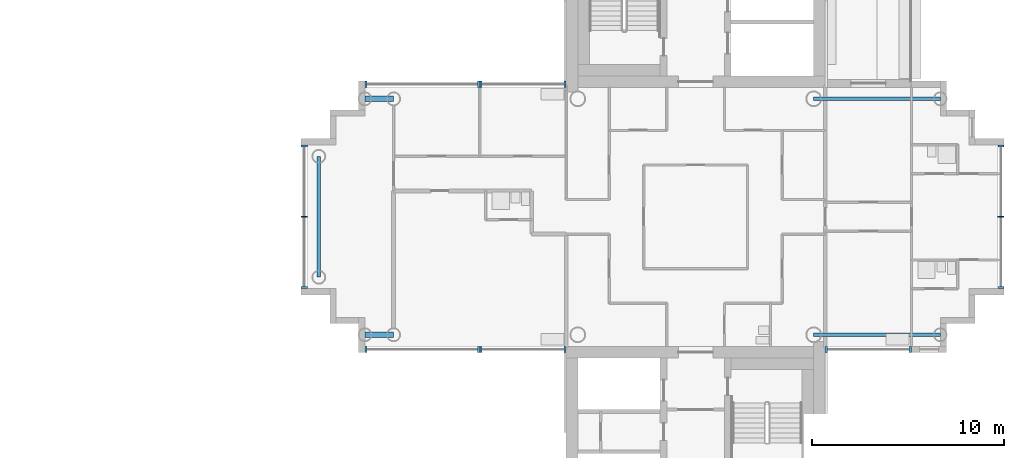
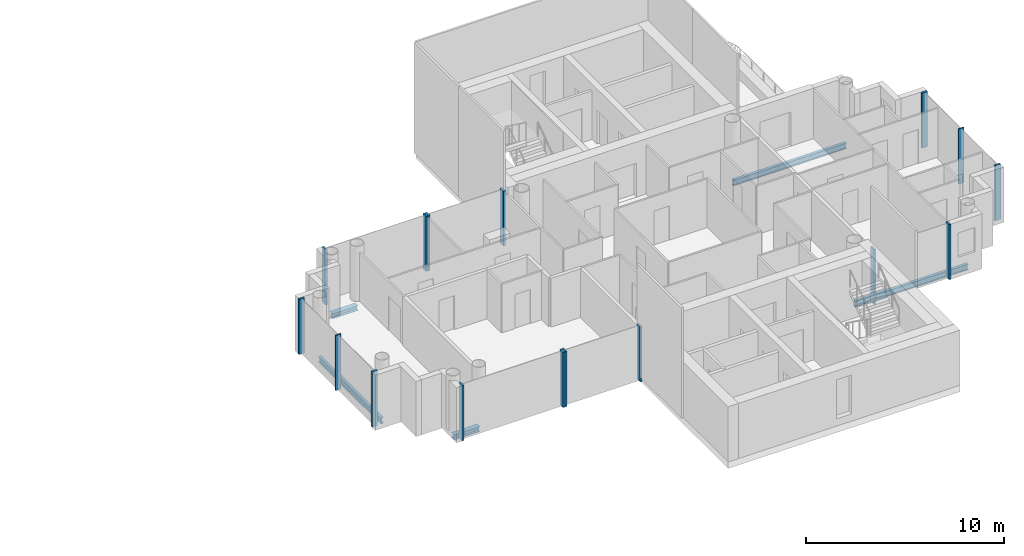
# One storey, part 4 of 18: 16 members, 5 beams, 7 elements without a shape of their own.
"""IFC4 building model written with IfcOpenShell, lengths in metres."""

from ifc_helpers import new_model, si_unit, direction, frame, origin, origin_2d, place, context, subcontext, project, spatial, rectangle, i_section, extrude, material, layer, layer_set, material_profile, profile_set, type_object, element, aggregate, save


model = new_model("IFC4")

# Units and contexts
model_context = context("Model", 3, precision=1e-05, world=origin(), true_north=direction((0.0, 1.0)))
body_context = subcontext(model_context, "Body", "Model", "MODEL_VIEW")
ifc_project = project(units=[si_unit("LENGTHUNIT", "METRE"), si_unit("AREAUNIT", "SQUARE_METRE"), si_unit("VOLUMEUNIT", "CUBIC_METRE"), si_unit("PLANEANGLEUNIT", "RADIAN"), si_unit("MASSUNIT", "GRAM", prefix="KILO")], contexts=[model_context])

# Site, building, storey
site_placement = place(None, origin())
site = spatial("IfcSite", under=ifc_project, at=site_placement, CompositionType="ELEMENT")
building_placement = place(site_placement, origin())
building = spatial("IfcBuilding", under=site, at=building_placement, Name="Ipe Terrace Towers", CompositionType="ELEMENT")
storey_placement = place(building_placement, frame((0.0, 0.0, 192.60009765625)))
storey = spatial("IfcBuildingStorey", under=building, at=storey_placement, Name="L53", CompositionType="ELEMENT", Elevation=192.60009765625)

# Beams
ifc_material_1 = material(Name="Steel S355", Category="steel")
ifc_material_profile_1 = material_profile(ifc_material_1, i_section(OverallWidth=0.300048828125, OverallDepth=0.300048828125, WebThickness=0.010009765625, FlangeThickness=0.014892578125, at=origin_2d()), Name="H-300x300x10x15")
ifc_profile_set_1 = profile_set([ifc_material_profile_1], Name="Steel S355")
beam_type_1 = type_object("IfcBeamType", Name="H03 EDGE BEAM H-300x300x10x15", PredefinedType="BEAM", material=ifc_profile_set_1)
for number, where, z_axis, x_axis, name in (
    (1, (20.25, 6.14990234375, -0.550048828125), (-1.0, 0.0, 0.0), (0.0, -1.0, 0.0), "Edge beam T2-EB-B03-B05"),
    (2, (20.25, -6.14990234375, -0.550048828125), (-1.0, 0.0, 0.0), (0.0, -1.0, 0.0), "Edge beam T2-EB-B04-B06"),
):
    element("IfcBeam", number, at=place(storey_placement, frame(where, z_axis=z_axis, x_axis=x_axis)), inside=storey, type_object=beam_type_1, Name=name, PredefinedType="BEAM", context=body_context, shape_type="SweptSolid", body=[
        extrude(i_section(OverallWidth=0.300048828125, OverallDepth=0.300048828125, WebThickness=0.010009765625, FlangeThickness=0.014892578125, at=origin_2d()), origin(), (0.0, 0.0, 1.0), 1.5),
    ])
ifc_material_2 = material(Name="Steel S355", Category="steel")
ifc_material_profile_2 = material_profile(ifc_material_2, i_section(OverallWidth=0.175048828125, OverallDepth=0.35009765625, WebThickness=0.007080078125, FlangeThickness=0.010986328125, at=origin_2d()), Name="H-350x175x7x11")
ifc_profile_set_2 = profile_set([ifc_material_profile_2], Name="Steel S355")
beam_type_2 = type_object("IfcBeamType", Name="H04 EDGE BEAM H-350x175x7x11", PredefinedType="BEAM", material=ifc_profile_set_2)
beam_placement = place(storey_placement, frame((16.35009765625, 3.14990234375, -0.5751953125), z_axis=(0.0, -1.0, 0.0), x_axis=(1.0, 0.0, 0.0)))
element("IfcBeam", 3, at=beam_placement, inside=storey, type_object=beam_type_2, Name="Edge beam T2-EB-B07-B08", PredefinedType="BEAM", context=body_context, shape_type="SweptSolid", body=[
    extrude(i_section(OverallWidth=0.175048828125, OverallDepth=0.35009765625, WebThickness=0.007080078125, FlangeThickness=0.010986328125, at=origin_2d()), origin(), (0.0, 0.0, 1.0), 6.2998046875),
])
for number, where, z_axis, x_axis, name in (
    (4, (48.75, -6.14990234375, -0.5751953125), (-1.0, 0.0, 0.0), (0.0, -1.0, 0.0), "Edge beam T2-EB-D01-E01"),
    (5, (48.75, 6.14990234375, -0.5751953125), (-1.0, 0.0, 0.0), (0.0, -1.0, 0.0), "Edge beam T2-EB-D02-E02"),
):
    element("IfcBeam", number, at=place(storey_placement, frame(where, z_axis=z_axis, x_axis=x_axis)), inside=storey, type_object=beam_type_2, Name=name, PredefinedType="BEAM", context=body_context, shape_type="SweptSolid", body=[
        extrude(i_section(OverallWidth=0.175048828125, OverallDepth=0.35009765625, WebThickness=0.007080078125, FlangeThickness=0.010986328125, at=origin_2d()), origin(), (0.0, 0.0, 1.0), 6.60009765625),
    ])

# Curtain wall, members
ifc_material_3 = material(Name="Aluminium alloy 6063-T6", Category="aluminium")
ifc_layer = layer(ifc_material_3, 0.320068359375)
ifc_layer_set = layer_set([ifc_layer], Name="TOWER UNITISED CURTAIN WALL")
curtain_wall_type = type_object("IfcCurtainWallType", Name="TOWER UNITISED CURTAIN WALL", PredefinedType="NOTDEFINED", material=ifc_layer_set)
curtain_wall_1_placement = place(storey_placement, origin())
curtain_wall_1 = element("IfcCurtainWall", 6, at=curtain_wall_1_placement, inside=storey, type_object=curtain_wall_type, Name="T2-CW-L53-02a curtain wall", PredefinedType="NOTDEFINED")
ifc_material_4 = material(Name="Aluminium alloy 6063-T6", Category="aluminium")
ifc_material_profile_3 = material_profile(ifc_material_4, rectangle(XDim=0.320068359375, YDim=0.1201171875, at=origin_2d()), Name="TOWER UNITISED CORNER MULLION 320 x 120")
ifc_profile_set_3 = profile_set([ifc_material_profile_3], Name="Aluminium alloy 6063-T6")
member_type_1 = type_object("IfcMemberType", Name="TOWER UNITISED CORNER MULLION 320 x 120", PredefinedType="MULLION", material=ifc_profile_set_3)
member_1_placement = place(storey_placement, frame((42.81005859375, -6.909912109375, -0.300048828125), z_axis=(0.0, 0.0, 1.0), x_axis=(0.0, -1.0, 0.0)))
member_1 = element("IfcMember", 7, at=member_1_placement, type_object=member_type_1, Name="T2-CW-L53-02a mullion 1", PredefinedType="MULLION", context=body_context, shape_type="SweptSolid", body=[
    extrude(rectangle(XDim=0.320068359375, YDim=0.1201171875, at=origin_2d()), origin(), (0.0, 0.0, 1.0), 3.39990234375),
])
member_2_placement = place(storey_placement, frame((47.18994140625, -6.909912109375, -0.300048828125), z_axis=(0.0, 0.0, 1.0), x_axis=(0.0, -1.0, 0.0)))
member_2 = element("IfcMember", 8, at=member_2_placement, type_object=member_type_1, Name="T2-CW-L53-02a mullion 2", PredefinedType="MULLION", context=body_context, shape_type="SweptSolid", body=[
    extrude(rectangle(XDim=0.320068359375, YDim=0.1201171875, at=origin_2d()), origin(), (0.0, 0.0, 1.0), 3.39990234375),
])
aggregate(curtain_wall_1, [member_1, member_2])

curtain_wall_2_placement = place(storey_placement, origin())
curtain_wall_2 = element("IfcCurtainWall", 9, at=curtain_wall_2_placement, inside=storey, type_object=curtain_wall_type, Name="T2-CW-L53-08a curtain wall", PredefinedType="NOTDEFINED")
member_3_placement = place(storey_placement, frame((51.909912109375, -3.68994140625, -0.300048828125), z_axis=(0.0, 0.0, 1.0), x_axis=(1.0, 0.0, 0.0)))
member_3 = element("IfcMember", 10, at=member_3_placement, type_object=member_type_1, Name="T2-CW-L53-08a mullion 1", PredefinedType="MULLION", context=body_context, shape_type="SweptSolid", body=[
    extrude(rectangle(XDim=0.320068359375, YDim=0.1201171875, at=origin_2d()), origin(), (0.0, 0.0, 1.0), 3.39990234375),
])
member_4_placement = place(storey_placement, frame((51.909912109375, 3.68994140625, -0.300048828125), z_axis=(0.0, 0.0, 1.0), x_axis=(1.0, 0.0, 0.0)))
member_4 = element("IfcMember", 11, at=member_4_placement, type_object=member_type_1, Name="T2-CW-L53-08a mullion 3", PredefinedType="MULLION", context=body_context, shape_type="SweptSolid", body=[
    extrude(rectangle(XDim=0.320068359375, YDim=0.1201171875, at=origin_2d()), origin(), (0.0, 0.0, 1.0), 3.39990234375),
])

curtain_wall_3_placement = place(storey_placement, origin())
curtain_wall_3 = element("IfcCurtainWall", 12, at=curtain_wall_3_placement, inside=storey, type_object=curtain_wall_type, Name="T2-CW-L53-20a curtain wall", PredefinedType="NOTDEFINED")
member_5_placement = place(storey_placement, frame((29.18994140625, 6.909912109375, -0.300048828125), z_axis=(0.0, 0.0, 1.0), x_axis=(0.0, 1.0, 0.0)))
member_5 = element("IfcMember", 13, at=member_5_placement, type_object=member_type_1, Name="T2-CW-L53-20a mullion 1", PredefinedType="MULLION", context=body_context, shape_type="SweptSolid", body=[
    extrude(rectangle(XDim=0.320068359375, YDim=0.1201171875, at=origin_2d()), origin(), (0.0, 0.0, 1.0), 3.39990234375),
])
member_6_placement = place(storey_placement, frame((24.81005859375, 6.909912109375, -0.300048828125), z_axis=(0.0, 0.0, 1.0), x_axis=(0.0, 1.0, 0.0)))
member_6 = element("IfcMember", 14, at=member_6_placement, type_object=member_type_1, Name="T2-CW-L53-20a mullion 2", PredefinedType="MULLION", context=body_context, shape_type="SweptSolid", body=[
    extrude(rectangle(XDim=0.320068359375, YDim=0.1201171875, at=origin_2d()), origin(), (0.0, 0.0, 1.0), 3.39990234375),
])
aggregate(curtain_wall_3, [member_5, member_6])

curtain_wall_4_placement = place(storey_placement, origin())
curtain_wall_4 = element("IfcCurtainWall", 15, at=curtain_wall_4_placement, inside=storey, type_object=curtain_wall_type, Name="T2-CW-L53-21a curtain wall", PredefinedType="NOTDEFINED")
member_7_placement = place(storey_placement, frame((24.68994140625, 6.909912109375, -0.300048828125), z_axis=(0.0, 0.0, 1.0), x_axis=(0.0, 1.0, 0.0)))
member_7 = element("IfcMember", 16, at=member_7_placement, type_object=member_type_1, Name="T2-CW-L53-21a mullion 1", PredefinedType="MULLION", context=body_context, shape_type="SweptSolid", body=[
    extrude(rectangle(XDim=0.320068359375, YDim=0.1201171875, at=origin_2d()), origin(), (0.0, 0.0, 1.0), 3.39990234375),
])
member_8_placement = place(storey_placement, frame((18.81005859375, 6.909912109375, -0.300048828125), z_axis=(0.0, 0.0, 1.0), x_axis=(0.0, 1.0, 0.0)))
member_8 = element("IfcMember", 17, at=member_8_placement, type_object=member_type_1, Name="T2-CW-L53-21a mullion 2", PredefinedType="MULLION", context=body_context, shape_type="SweptSolid", body=[
    extrude(rectangle(XDim=0.320068359375, YDim=0.1201171875, at=origin_2d()), origin(), (0.0, 0.0, 1.0), 3.39990234375),
])
aggregate(curtain_wall_4, [member_7, member_8])

curtain_wall_5_placement = place(storey_placement, origin())
curtain_wall_5 = element("IfcCurtainWall", 18, at=curtain_wall_5_placement, inside=storey, type_object=curtain_wall_type, Name="T2-CW-L53-26a curtain wall", PredefinedType="NOTDEFINED")
member_9_placement = place(storey_placement, frame((15.590087890625, 3.68994140625, -0.300048828125), z_axis=(0.0, 0.0, 1.0), x_axis=(-1.0, 0.0, 0.0)))
member_9 = element("IfcMember", 19, at=member_9_placement, type_object=member_type_1, Name="T2-CW-L53-26a mullion 1", PredefinedType="MULLION", context=body_context, shape_type="SweptSolid", body=[
    extrude(rectangle(XDim=0.320068359375, YDim=0.1201171875, at=origin_2d()), origin(), (0.0, 0.0, 1.0), 3.39990234375),
])
member_10_placement = place(storey_placement, frame((15.590087890625, -3.68994140625, -0.300048828125), z_axis=(0.0, 0.0, 1.0), x_axis=(-1.0, 0.0, 0.0)))
member_10 = element("IfcMember", 20, at=member_10_placement, type_object=member_type_1, Name="T2-CW-L53-26a mullion 3", PredefinedType="MULLION", context=body_context, shape_type="SweptSolid", body=[
    extrude(rectangle(XDim=0.320068359375, YDim=0.1201171875, at=origin_2d()), origin(), (0.0, 0.0, 1.0), 3.39990234375),
])

curtain_wall_6_placement = place(storey_placement, origin())
curtain_wall_6 = element("IfcCurtainWall", 21, at=curtain_wall_6_placement, inside=storey, type_object=curtain_wall_type, Name="T2-CW-L53-31a curtain wall", PredefinedType="NOTDEFINED")
member_11_placement = place(storey_placement, frame((18.81005859375, -6.909912109375, -0.300048828125), z_axis=(0.0, 0.0, 1.0), x_axis=(0.0, -1.0, 0.0)))
member_11 = element("IfcMember", 22, at=member_11_placement, type_object=member_type_1, Name="T2-CW-L53-31a mullion 1", PredefinedType="MULLION", context=body_context, shape_type="SweptSolid", body=[
    extrude(rectangle(XDim=0.320068359375, YDim=0.1201171875, at=origin_2d()), origin(), (0.0, 0.0, 1.0), 3.39990234375),
])
member_12_placement = place(storey_placement, frame((24.68994140625, -6.909912109375, -0.300048828125), z_axis=(0.0, 0.0, 1.0), x_axis=(0.0, -1.0, 0.0)))
member_12 = element("IfcMember", 23, at=member_12_placement, type_object=member_type_1, Name="T2-CW-L53-31a mullion 2", PredefinedType="MULLION", context=body_context, shape_type="SweptSolid", body=[
    extrude(rectangle(XDim=0.320068359375, YDim=0.1201171875, at=origin_2d()), origin(), (0.0, 0.0, 1.0), 3.39990234375),
])
aggregate(curtain_wall_6, [member_11, member_12])

curtain_wall_7_placement = place(storey_placement, origin())
curtain_wall_7 = element("IfcCurtainWall", 24, at=curtain_wall_7_placement, inside=storey, type_object=curtain_wall_type, Name="T2-CW-L53-32a curtain wall", PredefinedType="NOTDEFINED")
member_13_placement = place(storey_placement, frame((24.81005859375, -6.909912109375, -0.300048828125), z_axis=(0.0, 0.0, 1.0), x_axis=(0.0, -1.0, 0.0)))
member_13 = element("IfcMember", 25, at=member_13_placement, type_object=member_type_1, Name="T2-CW-L53-32a mullion 1", PredefinedType="MULLION", context=body_context, shape_type="SweptSolid", body=[
    extrude(rectangle(XDim=0.320068359375, YDim=0.1201171875, at=origin_2d()), origin(), (0.0, 0.0, 1.0), 3.39990234375),
])
member_14_placement = place(storey_placement, frame((29.18994140625, -6.909912109375, -0.300048828125), z_axis=(0.0, 0.0, 1.0), x_axis=(0.0, -1.0, 0.0)))
member_14 = element("IfcMember", 26, at=member_14_placement, type_object=member_type_1, Name="T2-CW-L53-32a mullion 2", PredefinedType="MULLION", context=body_context, shape_type="SweptSolid", body=[
    extrude(rectangle(XDim=0.320068359375, YDim=0.1201171875, at=origin_2d()), origin(), (0.0, 0.0, 1.0), 3.39990234375),
])
aggregate(curtain_wall_7, [member_13, member_14])

# Member
ifc_material_5 = material(Name="Aluminium alloy 6063-T6", Category="aluminium")
ifc_material_profile_4 = material_profile(ifc_material_5, rectangle(XDim=0.320068359375, YDim=0.06494140625, at=origin_2d()), Name="TOWER UNITISED MULLION 320 x 65")
ifc_profile_set_4 = profile_set([ifc_material_profile_4], Name="Aluminium alloy 6063-T6")
member_type_2 = type_object("IfcMemberType", Name="TOWER UNITISED MULLION 320 x 65", PredefinedType="MULLION", material=ifc_profile_set_4)
member_15_placement = place(storey_placement, frame((51.909912109375, 0.0, -0.300048828125), z_axis=(0.0, 0.0, 1.0), x_axis=(1.0, 0.0, 0.0)))
member_15 = element("IfcMember", 27, at=member_15_placement, type_object=member_type_2, Name="T2-CW-L53-08a mullion 2", PredefinedType="MULLION", context=body_context, shape_type="SweptSolid", body=[
    extrude(rectangle(XDim=0.320068359375, YDim=0.06494140625, at=origin_2d()), origin(), (0.0, 0.0, 1.0), 3.39990234375),
])

aggregate(curtain_wall_2, [member_3, member_15, member_4])

member_16_placement = place(storey_placement, frame((15.590087890625, 0.0, -0.300048828125), z_axis=(0.0, 0.0, 1.0), x_axis=(-1.0, 0.0, 0.0)))
member_16 = element("IfcMember", 28, at=member_16_placement, type_object=member_type_2, Name="T2-CW-L53-26a mullion 2", PredefinedType="MULLION", context=body_context, shape_type="SweptSolid", body=[
    extrude(rectangle(XDim=0.320068359375, YDim=0.06494140625, at=origin_2d()), origin(), (0.0, 0.0, 1.0), 3.39990234375),
])

aggregate(curtain_wall_5, [member_9, member_16, member_10])

save(model, "model.ifc")
